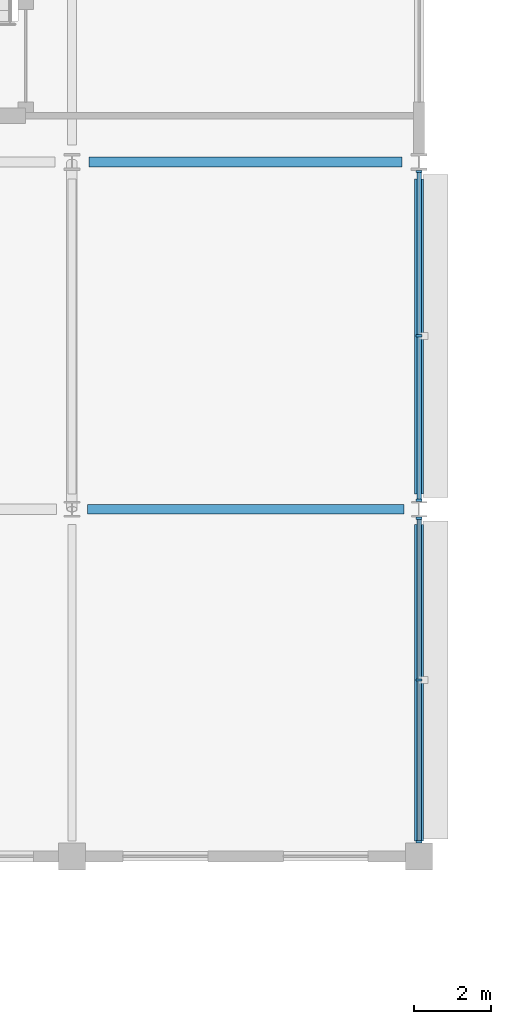
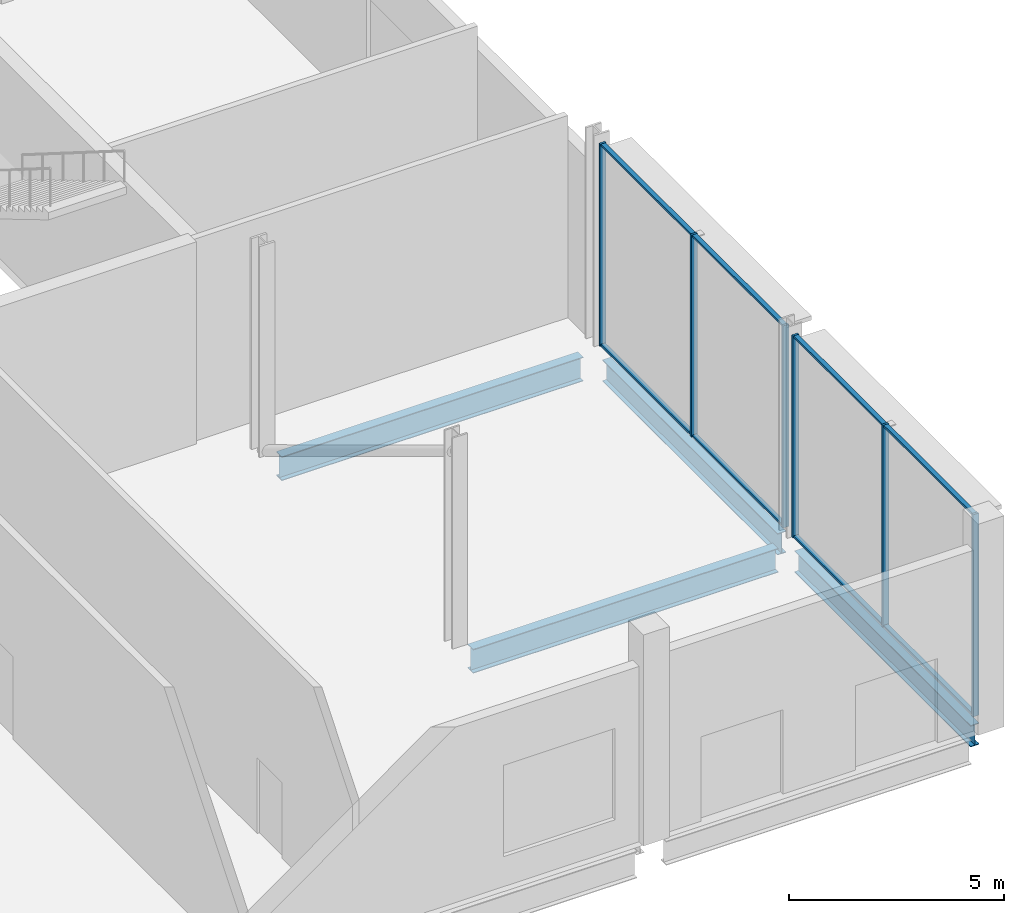
# One storey, part 25 of 84: 14 members, 4 beams, 2 elements without a shape of their own.
"""IFC4 building model written with IfcOpenShell, lengths in metres."""

from ifc_helpers import new_model, si_unit, direction, frame, origin, origin_2d, place, context, subcontext, project, spatial, rectangle, i_section, extrude, material, layer, layer_set, material_profile, profile_set, type_object, element, aggregate, save


model = new_model("IFC4")

# Units and contexts
model_context = context("Model", 3, precision=1e-05, world=origin(), true_north=direction((0.0, 1.0)))
body_context = subcontext(model_context, "Body", "Model", "MODEL_VIEW")
ifc_project = project(units=[si_unit("LENGTHUNIT", "METRE"), si_unit("AREAUNIT", "SQUARE_METRE"), si_unit("VOLUMEUNIT", "CUBIC_METRE"), si_unit("PLANEANGLEUNIT", "RADIAN"), si_unit("MASSUNIT", "GRAM", prefix="KILO")], contexts=[model_context])

# Site, building, storey
site_placement = place(None, origin())
site = spatial("IfcSite", under=ifc_project, at=site_placement, CompositionType="ELEMENT")
building_placement = place(site_placement, origin())
building = spatial("IfcBuilding", under=site, at=building_placement, Name="Kisiwana Market Hall", CompositionType="ELEMENT")
storey_placement = place(building_placement, origin())
storey = spatial("IfcBuildingStorey", under=building, at=storey_placement, Name="L00", CompositionType="ELEMENT", Elevation=0.0)

# Beams
ifc_material_1 = material(Name="Steel S355", Category="steel")
ifc_material_profile_1 = material_profile(ifc_material_1, i_section(OverallWidth=0.22900390625, OverallDepth=0.6123046875, WebThickness=0.011962890625, FlangeThickness=0.01953125, at=origin_2d()), Name="UB 610x229x125")
ifc_profile_set_1 = profile_set([ifc_material_profile_1], Name="Steel S355")
beam_type_1 = type_object("IfcBeamType", Name="BM-GIRD-UB610H", PredefinedType="BEAM", material=ifc_profile_set_1)
beam_1_placement = place(storey_placement, frame((198.0, 0.39599609375, -0.566162109375), z_axis=(0.0, 1.0, 0.0), x_axis=(-1.0, 0.0, 0.0)))
element("IfcBeam", 1, at=beam_1_placement, inside=storey, type_object=beam_type_1, Name="Floor beam B-0289", PredefinedType="BEAM", context=body_context, shape_type="SweptSolid", body=[
    extrude(i_section(OverallWidth=0.22900390625, OverallDepth=0.6123046875, WebThickness=0.011962890625, FlangeThickness=0.01953125, at=origin_2d()), origin(), (0.0, 0.0, 1.0), 8.2080078125),
])
beam_2_placement = place(storey_placement, frame((198.0, 9.39599609375, -0.566162109375), z_axis=(0.0, 1.0, 0.0), x_axis=(-1.0, 0.0, 0.0)))
element("IfcBeam", 2, at=beam_2_placement, inside=storey, type_object=beam_type_1, Name="Floor beam B-0290", PredefinedType="BEAM", context=body_context, shape_type="SweptSolid", body=[
    extrude(i_section(OverallWidth=0.22900390625, OverallDepth=0.6123046875, WebThickness=0.011962890625, FlangeThickness=0.01953125, at=origin_2d()), origin(), (0.0, 0.0, 1.0), 8.157958984375),
])
ifc_material_2 = material(Name="Steel S355", Category="steel")
ifc_material_profile_2 = material_profile(ifc_material_2, i_section(OverallWidth=0.253662109375, OverallDepth=0.68359375, WebThickness=0.012451171875, FlangeThickness=0.01904296875, at=origin_2d()), Name="UB 686x254x140")
ifc_profile_set_2 = profile_set([ifc_material_profile_2], Name="Steel S355")
beam_type_2 = type_object("IfcBeamType", Name="BM-GIRD-UB686", PredefinedType="BEAM", material=ifc_profile_set_2)
beam_3_placement = place(storey_placement, frame((189.39599609375, 9.0, -0.601806640625), z_axis=(1.0, 0.0, 0.0), x_axis=(0.0, 1.0, 0.0)))
element("IfcBeam", 3, at=beam_3_placement, inside=storey, type_object=beam_type_2, Name="Floor beam B-0168", PredefinedType="BEAM", context=body_context, shape_type="SweptSolid", body=[
    extrude(i_section(OverallWidth=0.253662109375, OverallDepth=0.68359375, WebThickness=0.012451171875, FlangeThickness=0.01904296875, at=origin_2d()), origin(), (0.0, 0.0, 1.0), 8.2080078125),
])
beam_4_placement = place(storey_placement, frame((189.446044921875, 18.0, -0.601806640625), z_axis=(1.0, 0.0, 0.0), x_axis=(0.0, 1.0, 0.0)))
element("IfcBeam", 4, at=beam_4_placement, inside=storey, type_object=beam_type_2, Name="Floor beam B-0182", PredefinedType="BEAM", context=body_context, shape_type="SweptSolid", body=[
    extrude(i_section(OverallWidth=0.253662109375, OverallDepth=0.68359375, WebThickness=0.012451171875, FlangeThickness=0.01904296875, at=origin_2d()), origin(), (0.0, 0.0, 1.0), 8.10791015625),
])

# Curtain wall, members
ifc_material_3 = material(Name="Double-glazed solar-control low-E IGU", Category="glass")
ifc_layer = layer(ifc_material_3, 0.159912109375)
ifc_layer_set = layer_set([ifc_layer], Name="CW-FOY-W-6800")
curtain_wall_type = type_object("IfcCurtainWallType", Name="CW-FOY-W-6800", PredefinedType="USERDEFINED", material=ifc_layer_set)
curtain_wall_1_placement = place(storey_placement, origin())
curtain_wall_1 = element("IfcCurtainWall", 5, at=curtain_wall_1_placement, inside=storey, type_object=curtain_wall_type, Name="Unitised curtain wall CW-003 (L00)", ObjectType="UNITISED CURTAIN WALL", PredefinedType="USERDEFINED")
ifc_material_4 = material(Name="Aluminium alloy 6063-T6", Category="aluminium")
ifc_material_profile_3 = material_profile(ifc_material_4, rectangle(XDim=0.06005859375, YDim=0.159912109375, at=origin_2d()), Name="ALU MULLION 60x160")
ifc_profile_set_3 = profile_set([ifc_material_profile_3], Name="Aluminium alloy 6063-T6")
member_type_1 = type_object("IfcMemberType", Name="CW-MULL-60x160", PredefinedType="MULLION", material=ifc_profile_set_3)
member_1_placement = place(storey_placement, frame((198.0, 0.3798828125, 0.0), z_axis=(0.0, 0.0, 1.0), x_axis=(0.0, 1.0, 0.0)))
member_1 = element("IfcMember", 6, at=member_1_placement, type_object=member_type_1, Name="CW-003 mullion 1", PredefinedType="MULLION", context=body_context, shape_type="SweptSolid", body=[
    extrude(rectangle(XDim=0.06005859375, YDim=0.159912109375, at=origin_2d()), origin(), (0.0, 0.0, 1.0), 5.75),
])
member_2_placement = place(storey_placement, frame((198.0, 4.573486328125, 0.0), z_axis=(0.0, 0.0, 1.0), x_axis=(0.0, 1.0, 0.0)))
member_2 = element("IfcMember", 7, at=member_2_placement, type_object=member_type_1, Name="CW-003 mullion 2", PredefinedType="MULLION", context=body_context, shape_type="SweptSolid", body=[
    extrude(rectangle(XDim=0.06005859375, YDim=0.159912109375, at=origin_2d()), origin(), (0.0, 0.0, 1.0), 5.75),
])
member_3_placement = place(storey_placement, frame((198.0, 8.766845703125, 0.0), z_axis=(0.0, 0.0, 1.0), x_axis=(0.0, 1.0, 0.0)))
member_3 = element("IfcMember", 8, at=member_3_placement, type_object=member_type_1, Name="CW-003 mullion 3", PredefinedType="MULLION", context=body_context, shape_type="SweptSolid", body=[
    extrude(rectangle(XDim=0.06005859375, YDim=0.159912109375, at=origin_2d()), origin(), (0.0, 0.0, 1.0), 5.75),
])

curtain_wall_2_placement = place(storey_placement, origin())
curtain_wall_2 = element("IfcCurtainWall", 9, at=curtain_wall_2_placement, inside=storey, type_object=curtain_wall_type, Name="Unitised curtain wall CW-004 (L00)", ObjectType="UNITISED CURTAIN WALL", PredefinedType="USERDEFINED")
member_4_placement = place(storey_placement, frame((198.0, 9.233154296875, 0.0), z_axis=(0.0, 0.0, 1.0), x_axis=(0.0, 1.0, 0.0)))
member_4 = element("IfcMember", 10, at=member_4_placement, type_object=member_type_1, Name="CW-004 mullion 1", PredefinedType="MULLION", context=body_context, shape_type="SweptSolid", body=[
    extrude(rectangle(XDim=0.06005859375, YDim=0.159912109375, at=origin_2d()), origin(), (0.0, 0.0, 1.0), 5.75),
])
member_5_placement = place(storey_placement, frame((198.0, 13.492919921875, 0.0), z_axis=(0.0, 0.0, 1.0), x_axis=(0.0, 1.0, 0.0)))
member_5 = element("IfcMember", 11, at=member_5_placement, type_object=member_type_1, Name="CW-004 mullion 2", PredefinedType="MULLION", context=body_context, shape_type="SweptSolid", body=[
    extrude(rectangle(XDim=0.06005859375, YDim=0.159912109375, at=origin_2d()), origin(), (0.0, 0.0, 1.0), 5.75),
])
member_6_placement = place(storey_placement, frame((198.0, 17.75244140625, 0.0), z_axis=(0.0, 0.0, 1.0), x_axis=(0.0, 1.0, 0.0)))
member_6 = element("IfcMember", 12, at=member_6_placement, type_object=member_type_1, Name="CW-004 mullion 3", PredefinedType="MULLION", context=body_context, shape_type="SweptSolid", body=[
    extrude(rectangle(XDim=0.06005859375, YDim=0.159912109375, at=origin_2d()), origin(), (0.0, 0.0, 1.0), 5.75),
])

# Member
ifc_material_5 = material(Name="Aluminium alloy 6063-T6", Category="aluminium")
ifc_material_profile_4 = material_profile(ifc_material_5, rectangle(XDim=0.1201171875, YDim=0.06005859375, at=origin_2d()), Name="ALU TRANSOM 60x120")
ifc_profile_set_4 = profile_set([ifc_material_profile_4], Name="Aluminium alloy 6063-T6")
member_type_2 = type_object("IfcMemberType", Name="CW-TRAN-60x120", PredefinedType="USERDEFINED", material=ifc_profile_set_4)
member_7_placement = place(storey_placement, frame((198.0, 0.409912109375, 0.030029296875), z_axis=(0.0, 1.0, 0.0), x_axis=(-1.0, 0.0, 0.0)))
member_7 = element("IfcMember", 13, at=member_7_placement, type_object=member_type_2, Name="CW-003 transom 1.1", ObjectType="TRANSOM", PredefinedType="USERDEFINED", context=body_context, shape_type="SweptSolid", body=[
    extrude(rectangle(XDim=0.1201171875, YDim=0.06005859375, at=origin_2d()), origin(), (0.0, 0.0, 1.0), 4.133544921875),
])

member_8_placement = place(storey_placement, frame((198.0, 0.409912109375, 5.719970703125), z_axis=(0.0, 1.0, 0.0), x_axis=(-1.0, 0.0, 0.0)))
member_8 = element("IfcMember", 14, at=member_8_placement, type_object=member_type_2, Name="CW-003 transom 1.2", ObjectType="TRANSOM", PredefinedType="USERDEFINED", context=body_context, shape_type="SweptSolid", body=[
    extrude(rectangle(XDim=0.1201171875, YDim=0.06005859375, at=origin_2d()), origin(), (0.0, 0.0, 1.0), 4.133544921875),
])

member_9_placement = place(storey_placement, frame((198.0, 4.603515625, 0.030029296875), z_axis=(0.0, 1.0, 0.0), x_axis=(-1.0, 0.0, 0.0)))
member_9 = element("IfcMember", 15, at=member_9_placement, type_object=member_type_2, Name="CW-003 transom 2.1", ObjectType="TRANSOM", PredefinedType="USERDEFINED", context=body_context, shape_type="SweptSolid", body=[
    extrude(rectangle(XDim=0.1201171875, YDim=0.06005859375, at=origin_2d()), origin(), (0.0, 0.0, 1.0), 4.13330078125),
])

member_10_placement = place(storey_placement, frame((198.0, 4.603515625, 5.719970703125), z_axis=(0.0, 1.0, 0.0), x_axis=(-1.0, 0.0, 0.0)))
member_10 = element("IfcMember", 16, at=member_10_placement, type_object=member_type_2, Name="CW-003 transom 2.2", ObjectType="TRANSOM", PredefinedType="USERDEFINED", context=body_context, shape_type="SweptSolid", body=[
    extrude(rectangle(XDim=0.1201171875, YDim=0.06005859375, at=origin_2d()), origin(), (0.0, 0.0, 1.0), 4.13330078125),
])

aggregate(curtain_wall_1, [member_1, member_2, member_3, member_7, member_8, member_9, member_10])

member_11_placement = place(storey_placement, frame((198.0, 9.26318359375, 0.030029296875), z_axis=(0.0, 1.0, 0.0), x_axis=(-1.0, 0.0, 0.0)))
member_11 = element("IfcMember", 17, at=member_11_placement, type_object=member_type_2, Name="CW-004 transom 1.1", ObjectType="TRANSOM", PredefinedType="USERDEFINED", context=body_context, shape_type="SweptSolid", body=[
    extrude(rectangle(XDim=0.1201171875, YDim=0.06005859375, at=origin_2d()), origin(), (0.0, 0.0, 1.0), 4.19970703125),
])

member_12_placement = place(storey_placement, frame((198.0, 9.26318359375, 5.719970703125), z_axis=(0.0, 1.0, 0.0), x_axis=(-1.0, 0.0, 0.0)))
member_12 = element("IfcMember", 18, at=member_12_placement, type_object=member_type_2, Name="CW-004 transom 1.2", ObjectType="TRANSOM", PredefinedType="USERDEFINED", context=body_context, shape_type="SweptSolid", body=[
    extrude(rectangle(XDim=0.1201171875, YDim=0.06005859375, at=origin_2d()), origin(), (0.0, 0.0, 1.0), 4.19970703125),
])

member_13_placement = place(storey_placement, frame((198.0, 13.52294921875, 0.030029296875), z_axis=(0.0, 1.0, 0.0), x_axis=(-1.0, 0.0, 0.0)))
member_13 = element("IfcMember", 19, at=member_13_placement, type_object=member_type_2, Name="CW-004 transom 2.1", ObjectType="TRANSOM", PredefinedType="USERDEFINED", context=body_context, shape_type="SweptSolid", body=[
    extrude(rectangle(XDim=0.1201171875, YDim=0.06005859375, at=origin_2d()), origin(), (0.0, 0.0, 1.0), 4.199462890625),
])

member_14_placement = place(storey_placement, frame((198.0, 13.52294921875, 5.719970703125), z_axis=(0.0, 1.0, 0.0), x_axis=(-1.0, 0.0, 0.0)))
member_14 = element("IfcMember", 20, at=member_14_placement, type_object=member_type_2, Name="CW-004 transom 2.2", ObjectType="TRANSOM", PredefinedType="USERDEFINED", context=body_context, shape_type="SweptSolid", body=[
    extrude(rectangle(XDim=0.1201171875, YDim=0.06005859375, at=origin_2d()), origin(), (0.0, 0.0, 1.0), 4.199462890625),
])

aggregate(curtain_wall_2, [member_4, member_5, member_6, member_11, member_12, member_13, member_14])

save(model, "model.ifc")
